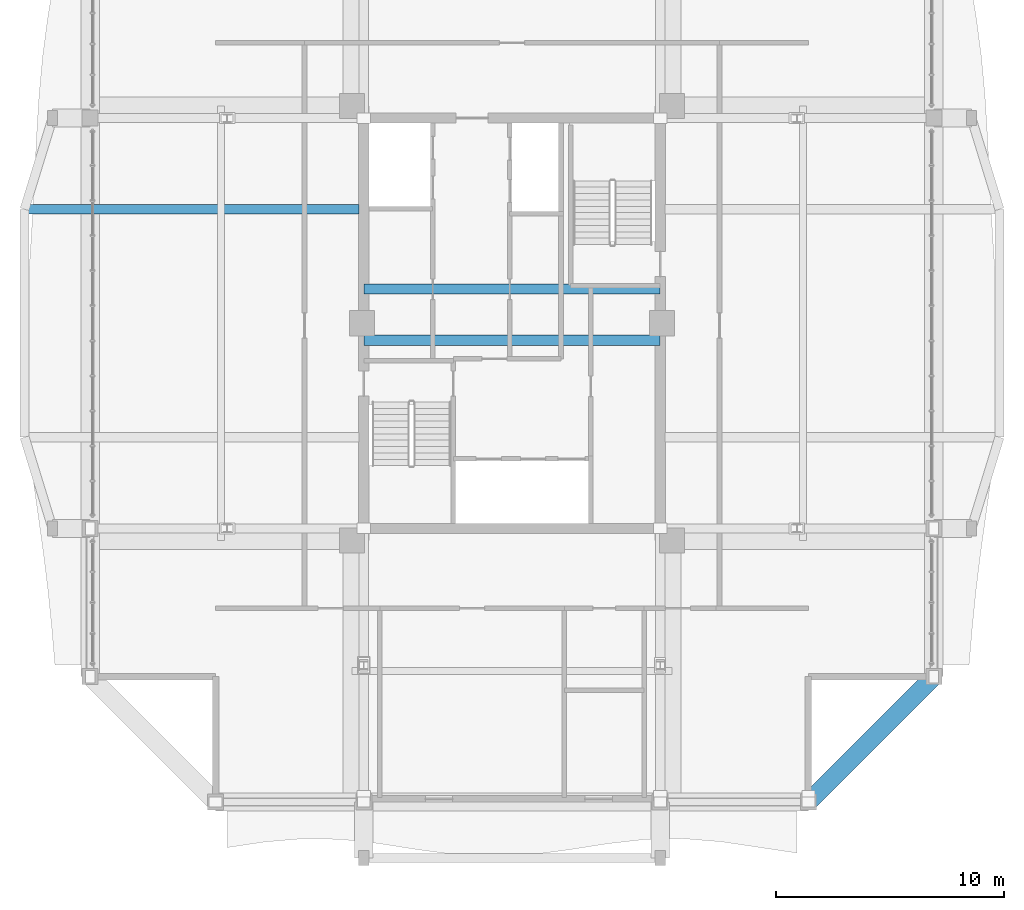
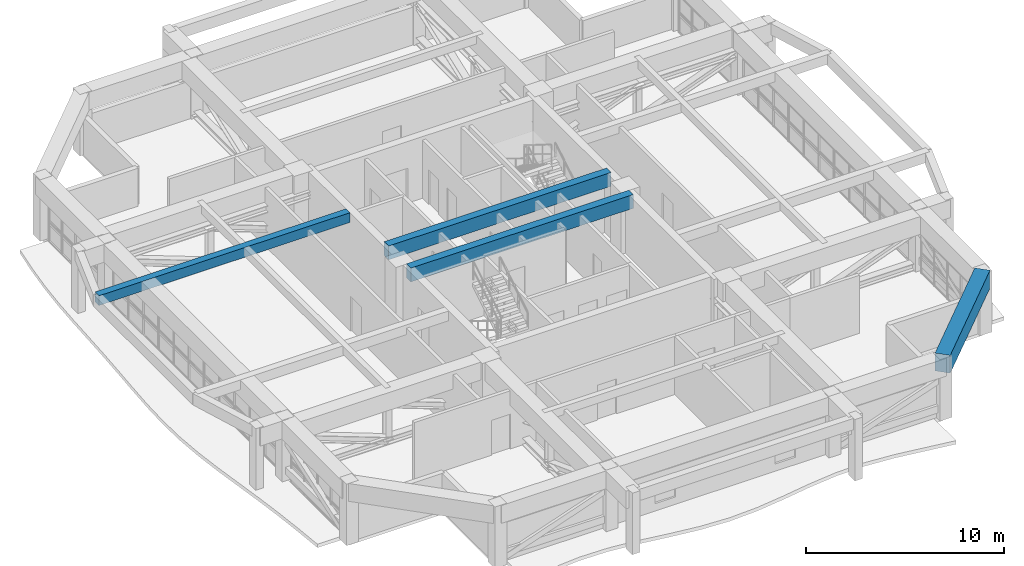
# One storey, part 8 of 25: 4 beams.
"""IFC4 building model written with IfcOpenShell, lengths in metres."""

from ifc_helpers import new_model, si_unit, direction, frame, origin, origin_2d, place, context, subcontext, project, spatial, rectangle, extrude, source, transform, mapped, material, material_profile, profile_set, type_object, element, save


model = new_model("IFC4")

# Units and contexts
model_context = context("Model", 3, precision=1e-05, world=origin(), true_north=direction((0.0, 1.0)))
body_context = subcontext(model_context, "Body", "Model", "MODEL_VIEW")
ifc_project = project(units=[si_unit("LENGTHUNIT", "METRE"), si_unit("AREAUNIT", "SQUARE_METRE"), si_unit("VOLUMEUNIT", "CUBIC_METRE"), si_unit("PLANEANGLEUNIT", "RADIAN"), si_unit("MASSUNIT", "GRAM", prefix="KILO")], contexts=[model_context])

# Site, building, storey
site_placement = place(None, origin())
site = spatial("IfcSite", under=ifc_project, at=site_placement, CompositionType="ELEMENT")
building_placement = place(site_placement, origin())
building = spatial("IfcBuilding", under=site, at=building_placement, Name="Saelheon Loggia Tower", CompositionType="ELEMENT")
storey_placement = place(building_placement, frame((0.0, 0.0, 206.5)))
storey = spatial("IfcBuildingStorey", under=building, at=storey_placement, Name="L64", CompositionType="ELEMENT", Elevation=206.5)

# Beams
ifc_material_1 = material(Name="Concrete C50/60", Category="concrete")
ifc_material_profile_1 = material_profile(ifc_material_1, rectangle(XDim=0.449951171875, YDim=0.85009765625, at=origin_2d()), Name="RC-450x850")
ifc_profile_set_1 = profile_set([ifc_material_profile_1], Name="Concrete C50/60")
beam_type_1 = type_object("IfcBeamType", Name="Beam_CoreLintel_RC450x850", PredefinedType="LINTEL", material=ifc_profile_set_1)
shared_shape_1 = source(origin(), body_context, "Body", "SweptSolid", [
    extrude(rectangle(XDim=0.449951171875, YDim=0.85009765625, at=origin_2d()), origin(), (0.0, 0.0, 1.0), 13.0),
])
for number, where, z_axis, x_axis, name in (
    (1, (31.5, 26.25, 3.375), (1.0, 0.0, 0.0), (0.0, 1.0, 0.0), "L64 Core Coupling Lintel 1"),
    (2, (31.5, 28.5, 3.375), (1.0, 0.0, 0.0), (0.0, 1.0, 0.0), "L64 Core Coupling Lintel 2"),
):
    element("IfcBeam", number, at=place(storey_placement, frame(where, z_axis=z_axis, x_axis=x_axis)), inside=storey, type_object=beam_type_1, Name=name, PredefinedType="LINTEL", context=body_context, shape_type="MappedRepresentation", body=[
        mapped(shared_shape_1, transform((0.0, 0.0, 0.0), scale=1.0)),
    ])
ifc_material_2 = material(Name="Precast Concrete C45/55", Category="concrete")
ifc_material_profile_2 = material_profile(ifc_material_2, rectangle(XDim=0.39990234375, YDim=0.60009765625, at=origin_2d()), Name="RC-400x600")
ifc_profile_set_2 = profile_set([ifc_material_profile_2], Name="Precast Concrete C45/55")
beam_type_2 = type_object("IfcBeamType", Name="Beam_LoggiaTie_RC400x600", PredefinedType="BEAM", material=ifc_profile_set_2)
shared_shape_2 = source(origin(), body_context, "Body", "SweptSolid", [
    extrude(rectangle(XDim=0.39990234375, YDim=0.60009765625, at=origin_2d()), origin(), (0.0, 0.0, 1.0), 14.659912109375),
])
beam_1_placement = place(storey_placement, frame((31.280029296875, 32.0, 3.5), z_axis=(-1.0, 0.0, 0.0), x_axis=(0.0, -1.0, 0.0)))
element("IfcBeam", 3, at=beam_1_placement, inside=storey, type_object=beam_type_2, Name="L64 Curved Facade Outrigger Beam W 2", PredefinedType="BEAM", context=body_context, shape_type="MappedRepresentation", body=[
    mapped(shared_shape_2, transform((0.0, 0.0, 0.0), scale=1.0)),
])
ifc_material_profile_3 = material_profile(ifc_material_1, rectangle(XDim=0.800048828125, YDim=1.10009765625, at=origin_2d()), Name="RC-800x1100")
ifc_profile_set_3 = profile_set([ifc_material_profile_3], Name="Concrete C50/60")
beam_type_3 = type_object("IfcBeamType", Name="Beam_PerimSetback_RC800x1100", PredefinedType="BEAM", material=ifc_profile_set_3)
shared_shape_3 = source(origin(), body_context, "Body", "SweptSolid", [
    extrude(rectangle(XDim=0.800048828125, YDim=1.10009765625, at=origin_2d()), origin(), (0.0, 0.0, 1.0), 7.778076171875),
])
beam_2_placement = place(storey_placement, frame((51.0, 6.0, 3.25), z_axis=(0.707106781187, 0.707106781187, 0.0), x_axis=(-0.707106781187, 0.707106781187, 0.0)))
element("IfcBeam", 4, at=beam_2_placement, inside=storey, type_object=beam_type_3, Name="L64 Perimeter Frame Girder 04", PredefinedType="BEAM", context=body_context, shape_type="MappedRepresentation", body=[
    mapped(shared_shape_3, transform((0.0, 0.0, 0.0), scale=1.0)),
])

save(model, "model.ifc")
